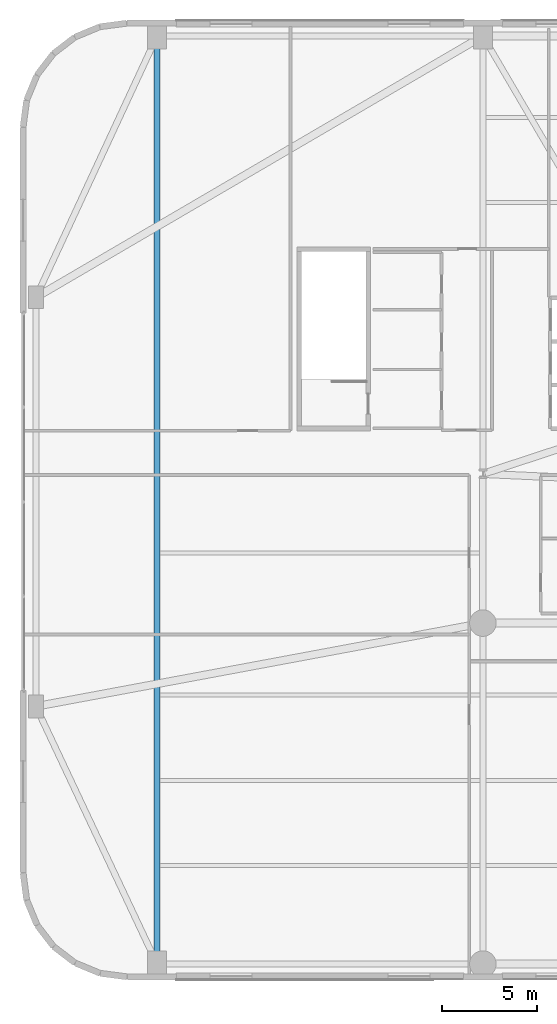
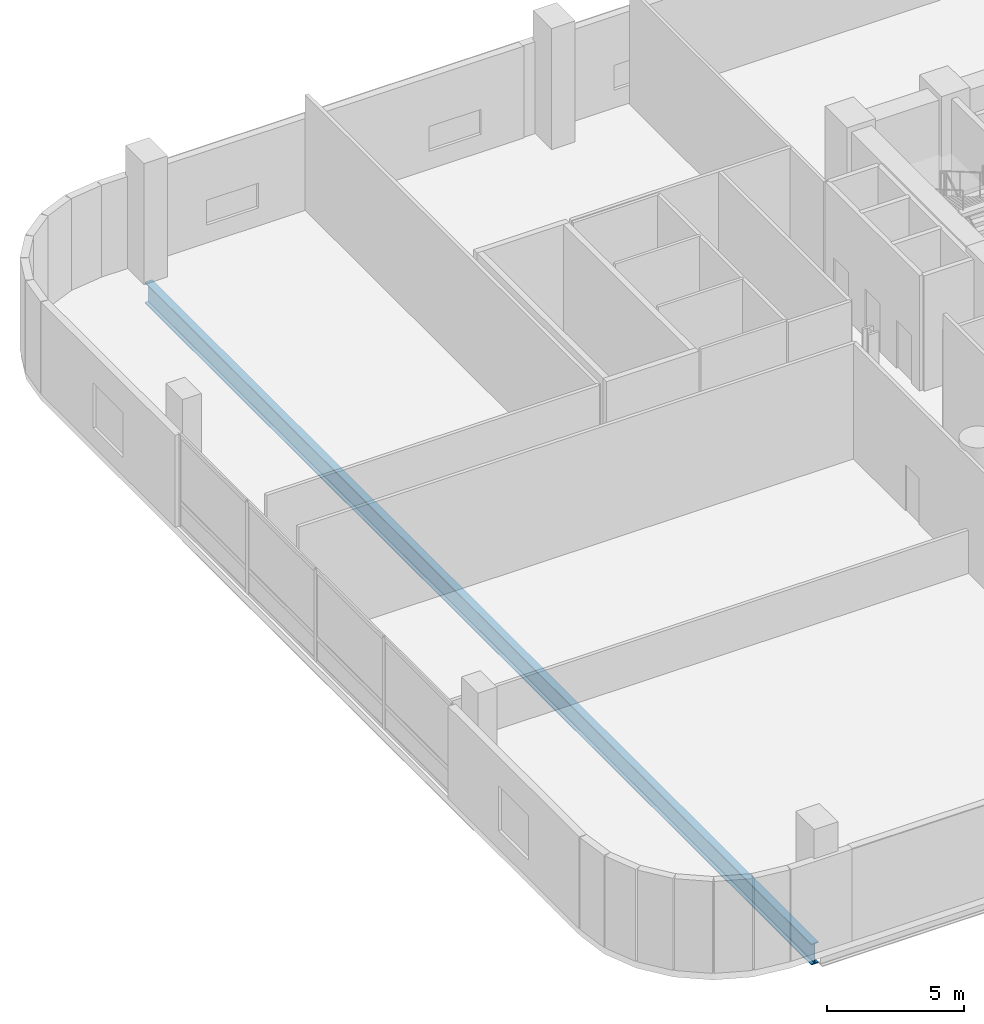
# One storey, part 7 of 31: 1 beam.
"""IFC4 building model written with IfcOpenShell, lengths in metres."""

from ifc_helpers import new_model, si_unit, direction, frame, origin, origin_2d, place, context, subcontext, project, spatial, i_section, extrude, material, material_profile, profile_set, type_object, element, save


model = new_model("IFC4")

# Units and contexts
model_context = context("Model", 3, precision=1e-05, world=origin(), true_north=direction((0.0, 1.0)))
body_context = subcontext(model_context, "Body", "Model", "MODEL_VIEW")
ifc_project = project(units=[si_unit("LENGTHUNIT", "METRE"), si_unit("AREAUNIT", "SQUARE_METRE"), si_unit("VOLUMEUNIT", "CUBIC_METRE"), si_unit("PLANEANGLEUNIT", "RADIAN"), si_unit("MASSUNIT", "GRAM", prefix="KILO")], contexts=[model_context])

# Site, building, storey
site_placement = place(None, origin())
site = spatial("IfcSite", under=ifc_project, at=site_placement, CompositionType="ELEMENT")
building_placement = place(site_placement, origin())
building = spatial("IfcBuilding", under=site, at=building_placement, Name="Varnelok Gate Tower", CompositionType="ELEMENT")
storey_placement = place(building_placement, frame((0.0, 0.0, 21.60009765625)))
storey = spatial("IfcBuildingStorey", under=building, at=storey_placement, Name="L04", CompositionType="ELEMENT", Elevation=21.60009765625)

# Beam
ifc_material = material(Name="Structural Steel ASTM A992 Grade 50", Category="steel")
ifc_material_profile = material_profile(ifc_material, i_section(OverallWidth=0.30810546875, OverallDepth=0.943115234375, WebThickness=0.022216796875, FlangeThickness=0.039794921875, FilletRadius=0.02587890625, at=origin_2d()), Name="W36X232")
ifc_profile_set = profile_set([ifc_material_profile], Name="Structural Steel ASTM A992 Grade 50")
beam_type = type_object("IfcBeamType", Name="BM-PRI-W36X232", PredefinedType="BEAM", material=ifc_profile_set)
beam_placement = place(storey_placement, frame((7.199951171875, 0.93994140625, -0.79150390625), z_axis=(0.0, 1.0, 0.0), x_axis=(-1.0, 0.0, 0.0)))
element("IfcBeam", 1, at=beam_placement, inside=storey, type_object=beam_type, Name="L04 Podium Primary Girder 14", PredefinedType="BEAM", context=body_context, shape_type="SweptSolid", body=[
    extrude(i_section(OverallWidth=0.30810546875, OverallDepth=0.943115234375, WebThickness=0.022216796875, FlangeThickness=0.039794921875, FilletRadius=0.02587890625, at=origin_2d()), origin(), (0.0, 0.0, 1.0), 48.719970703125),
])

save(model, "model.ifc")
